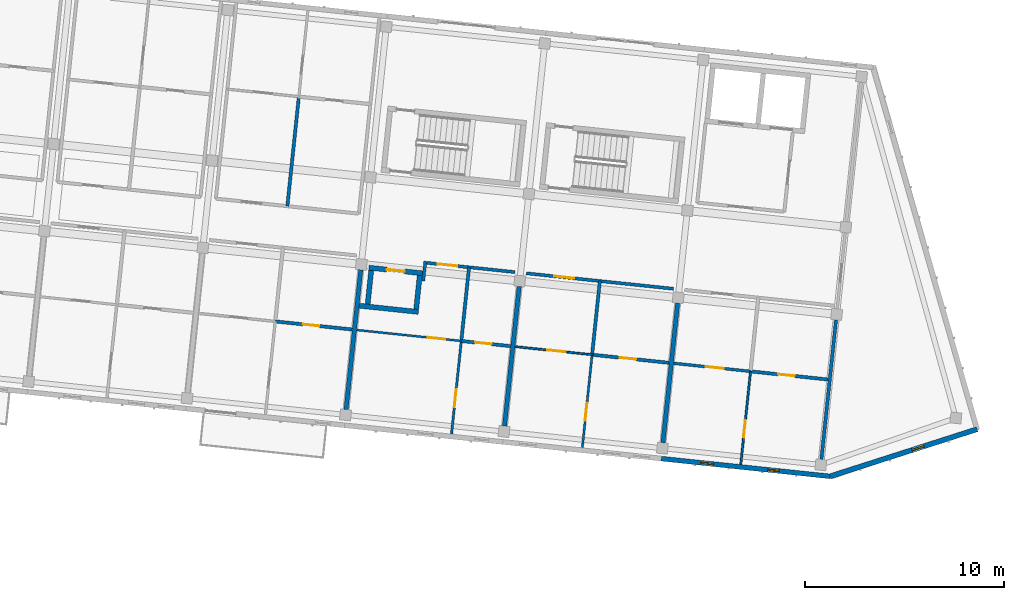
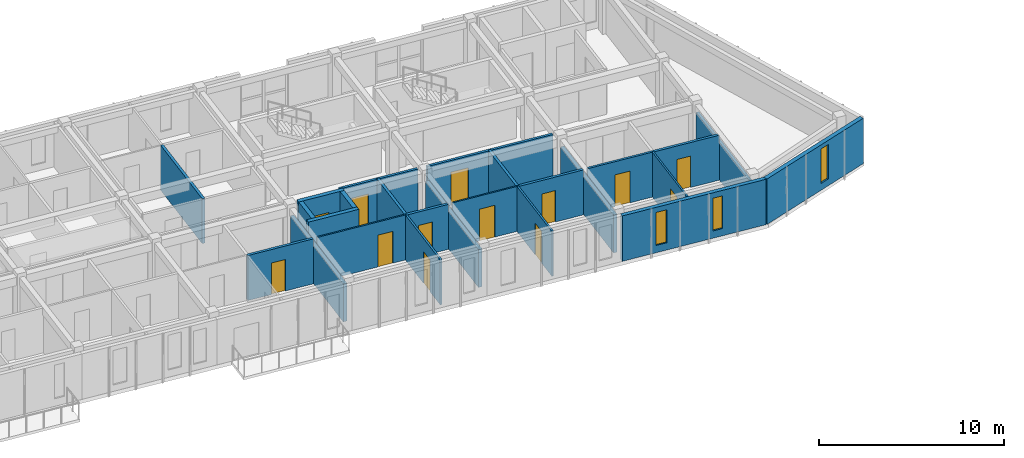
# One storey, part 91 of 127: 26 walls, 13 doors, 3 windows, 16 openings.
"""IFC4 building model written with IfcOpenShell, lengths in metres."""

from ifc_helpers import new_model, si_unit, direction, frame, frame_2d, origin, place, context, subcontext, project, spatial, rectangle, extrude, material, layer, layer_set, type_object, element, fill, save


model = new_model("IFC4")

# Units and contexts
model_context = context("Model", 3, precision=1e-05, world=origin(), true_north=direction((0.0, 1.0)))
body_context = subcontext(model_context, "Body", "Model", "MODEL_VIEW")
ifc_project = project(units=[si_unit("LENGTHUNIT", "METRE"), si_unit("AREAUNIT", "SQUARE_METRE"), si_unit("VOLUMEUNIT", "CUBIC_METRE"), si_unit("PLANEANGLEUNIT", "RADIAN"), si_unit("MASSUNIT", "GRAM", prefix="KILO")], contexts=[model_context])

# Site, building, storey
site_placement = place(None, origin())
site = spatial("IfcSite", under=ifc_project, at=site_placement, CompositionType="ELEMENT")
building_placement = place(site_placement, origin())
building = spatial("IfcBuilding", under=site, at=building_placement, Name="Kestramere Prow Commons", CompositionType="ELEMENT")
storey_placement = place(building_placement, frame((0.0, 0.0, 8.39990234375)))
storey = spatial("IfcBuildingStorey", under=building, at=storey_placement, Name="L02", CompositionType="ELEMENT", Elevation=8.39990234375)

# Wall, opening, window
ifc_material_1 = material(Name="Weathered Zinc-Titanium Standing-Seam Cladding")
ifc_layer_1 = layer(ifc_material_1, 0.260009765625)
ifc_layer_set_1 = layer_set([ifc_layer_1], Name="Weathered Zinc-Titanium Standing-Seam Cladding")
wall_type_1 = type_object("IfcWallType", Name="EW-PROW-260", PredefinedType="SOLIDWALL", material=ifc_layer_set_1)
wall_1_placement = place(storey_placement, frame((165.587158203125, 91.57177734375, 0.0), z_axis=(0.0, 0.0, 1.0), x_axis=(-0.9522851043, -0.305209895201, 0.0)))
wall_1 = element("IfcWall", 1, at=wall_1_placement, inside=storey, type_object=wall_type_1, Name="Block B L02 PRW-S Facet Wall", PredefinedType="SOLIDWALL", context=body_context, shape_type="SweptSolid", body=[
    extrude(rectangle(XDim=7.752685546875, YDim=0.260009765625, at=frame_2d((3.87646484375, 0.0))), origin(), (0.0, 0.0, 1.0), 3.0),
])
opening_1_placement = place(wall_1_placement, frame((2.81005859375, 0.0, 0.449951171875)))
opening_1 = element("IfcOpeningElement", 2, at=opening_1_placement, cuts=wall_1, Name="Opening WN-03", PredefinedType="OPENING", context=body_context, shape_type="SweptSolid", body=[
    extrude(rectangle(XDim=0.6201171875, YDim=2.280029296875, at=frame_2d((0.31005859375, 1.14013671875))), frame((0.0, 0.14501953125, 0.0), z_axis=(0.0, -1.0, 0.0), x_axis=(1.0, 0.0, 0.0)), (0.0, 0.0, 1.0), 0.2900390625),
])
ifc_material_2 = material(Name="Low-E Laminated Double Glazing", Category="glass")
window_type_1 = type_object("IfcWindowType", Name="WN-NAR-620A", PartitioningType="SINGLE_PANEL", PredefinedType="WINDOW", material=ifc_material_2)
window_1_placement = place(opening_1_placement, origin())
window_1 = element("IfcWindow", 3, at=window_1_placement, inside=storey, type_object=window_type_1, Name="WN-B-L02-PRW-S-0", OverallHeight=2.280029296875, OverallWidth=0.6201171875, PartitioningType="SINGLE_PANEL", PredefinedType="WINDOW", context=body_context, shape_type="SweptSolid", body=[
    extrude(rectangle(XDim=0.6201171875, YDim=2.280029296875, at=frame_2d((0.31005859375, 1.14013671875))), frame((0.0, 0.030029296875, 0.0), z_axis=(0.0, -1.0, 0.0), x_axis=(1.0, 0.0, 0.0)), (0.0, 0.0, 1.0), 0.06005859375),
])
fill(opening_1, window_1)

# Wall, openings, windows
ifc_material_3 = material(Name="Fluoropolymer Standing-Seam Zinc-Aluminium Cladding", Category="aluminium")
ifc_layer_2 = layer(ifc_material_3, 0.239990234375)
ifc_layer_set_2 = layer_set([ifc_layer_2], Name="Fluoropolymer Standing-Seam Zinc-Aluminium Cladding")
wall_type_2 = type_object("IfcWallType", Name="EW-SEAM-240", PredefinedType="SOLIDWALL", material=ifc_layer_set_2)
wall_2_placement = place(storey_placement, frame((158.204345703125, 89.20556640625, 0.0), z_axis=(0.0, 0.0, 1.0), x_axis=(-0.994521760736, 0.104529744196, 0.0)))
wall_2 = element("IfcWall", 4, at=wall_2_placement, inside=storey, type_object=wall_type_2, Name="Block B L02 South Standing-Seam Wall 6", PredefinedType="SOLIDWALL", context=body_context, shape_type="SweptSolid", body=[
    extrude(rectangle(XDim=8.52490234375, YDim=0.239990234375, at=frame_2d((4.262451171875, 0.0))), origin(), (0.0, 0.0, 1.0), 3.0),
])
opening_2_placement = place(wall_2_placement, frame((2.57568359375, 0.0, 0.47998046875)))
opening_2 = element("IfcOpeningElement", 5, at=opening_2_placement, cuts=wall_2, Name="Opening WN-01", PredefinedType="OPENING", context=body_context, shape_type="SweptSolid", body=[
    extrude(rectangle(XDim=0.580078125, YDim=2.159912109375, at=frame_2d((0.2900390625, 1.080078125))), frame((0.0, 0.135009765625, 0.0), z_axis=(0.0, -1.0, 0.0), x_axis=(1.0, 0.0, 0.0)), (0.0, 0.0, 1.0), 0.27001953125),
])
opening_3_placement = place(wall_2_placement, frame((5.883544921875, 0.0, 0.47998046875)))
opening_3 = element("IfcOpeningElement", 6, at=opening_3_placement, cuts=wall_2, Name="Opening WN-04", PredefinedType="OPENING", context=body_context, shape_type="SweptSolid", body=[
    extrude(rectangle(XDim=0.639892578125, YDim=2.179931640625, at=frame_2d((0.31982421875, 1.08984375))), frame((0.0, 0.135009765625, 0.0), z_axis=(0.0, -1.0, 0.0), x_axis=(1.0, 0.0, 0.0)), (0.0, 0.0, 1.0), 0.27001953125),
])
window_type_2 = type_object("IfcWindowType", Name="WN-NAR-580A", PartitioningType="SINGLE_PANEL", PredefinedType="WINDOW", material=ifc_material_2)
window_2_placement = place(opening_2_placement, origin())
window_2 = element("IfcWindow", 7, at=window_2_placement, inside=storey, type_object=window_type_2, Name="WN-B-L02-S-5-00", OverallHeight=2.159912109375, OverallWidth=0.580078125, PartitioningType="SINGLE_PANEL", PredefinedType="WINDOW", context=body_context, shape_type="SweptSolid", body=[
    extrude(rectangle(XDim=0.580078125, YDim=2.159912109375, at=frame_2d((0.2900390625, 1.080078125))), frame((0.0, 0.030029296875, 0.0), z_axis=(0.0, -1.0, 0.0), x_axis=(1.0, 0.0, 0.0)), (0.0, 0.0, 1.0), 0.06005859375),
])
fill(opening_2, window_2)
window_type_3 = type_object("IfcWindowType", Name="WN-NAR-640A", PartitioningType="SINGLE_PANEL", PredefinedType="WINDOW", material=ifc_material_2)
window_3_placement = place(opening_3_placement, origin())
window_3 = element("IfcWindow", 8, at=window_3_placement, inside=storey, type_object=window_type_3, Name="WN-B-L02-S-5-10", OverallHeight=2.179931640625, OverallWidth=0.639892578125, PartitioningType="SINGLE_PANEL", PredefinedType="WINDOW", context=body_context, shape_type="SweptSolid", body=[
    extrude(rectangle(XDim=0.639892578125, YDim=2.179931640625, at=frame_2d((0.31982421875, 1.08984375))), frame((0.0, 0.030029296875, 0.0), z_axis=(0.0, -1.0, 0.0), x_axis=(1.0, 0.0, 0.0)), (0.0, 0.0, 1.0), 0.06005859375),
])
fill(opening_3, window_3)

# Wall
ifc_material_4 = material(Name="Fire-Rated Calcium Silicate Wall")
ifc_layer_3 = layer(ifc_material_4, 0.155029296875)
ifc_layer_set_3 = layer_set([ifc_layer_3], Name="Fire-Rated Calcium Silicate Wall")
wall_type_3 = type_object("IfcWallType", Name="W-FIRE-150", PredefinedType="PARTITIONING", material=ifc_layer_set_3)
wall_3_placement = place(storey_placement, frame((137.773193359375, 99.02001953125, 0.0), z_axis=(0.0, 0.0, 1.0), x_axis=(0.104531505358, 0.994521575627, 0.0)))
element("IfcWall", 9, at=wall_3_placement, inside=storey, type_object=wall_type_3, Name="Interior Partition PW-B-L02-HS-CLOSER", PredefinedType="PARTITIONING", context=body_context, shape_type="SweptSolid", body=[
    extrude(rectangle(XDim=0.994873046875, YDim=0.155029296875, at=frame_2d((0.49755859375, 0.0))), origin(), (0.0, 0.0, 1.0), 2.97021484375),
])

# Wall, opening, door
wall_4_placement = place(storey_placement, frame((137.948974609375, 99.926513671875, 0.0), z_axis=(0.0, 0.0, 1.0), x_axis=(0.994524354209, -0.104505066315, 0.0)))
wall_4 = element("IfcWall", 10, at=wall_4_placement, inside=storey, type_object=wall_type_3, Name="Interior Partition PW-B-L02-CS-3", PredefinedType="PARTITIONING", context=body_context, shape_type="SweptSolid", body=[
    extrude(rectangle(XDim=4.455078125, YDim=0.155029296875, at=frame_2d((2.2275390625, 0.0))), origin(), (0.0, 0.0, 1.0), 2.97021484375),
])
opening_4_placement = place(wall_4_placement, frame((0.556884765625, 0.0, 0.0)))
opening_4 = element("IfcOpeningElement", 11, at=opening_4_placement, cuts=wall_4, Name="Opening ID-04", PredefinedType="OPENING", context=body_context, shape_type="SweptSolid", body=[
    extrude(rectangle(XDim=0.97998046875, YDim=2.14990234375, at=frame_2d((0.489990234375, 1.074951171875))), frame((0.0, 0.092529296875, 0.0), z_axis=(0.0, -1.0, 0.0), x_axis=(1.0, 0.0, 0.0)), (0.0, 0.0, 1.0), 0.18505859375),
])
ifc_material_5 = material(Name="Hardwood Fire-Rated Flat Entrance Door", Category="wood")
door_type_1 = type_object("IfcDoorType", Name="FD-ENT-01", OperationType="NOTDEFINED", PredefinedType="DOOR", material=ifc_material_5)
door_1_placement = place(opening_4_placement, origin())
door_1 = element("IfcDoor", 12, at=door_1_placement, inside=storey, type_object=door_type_1, Name="Interior Door DR-B-L02-ENT-S3", OperationType="SINGLE_SWING_RIGHT", OverallHeight=2.14990234375, OverallWidth=0.97998046875, PredefinedType="DOOR", context=body_context, shape_type="SweptSolid", body=[
    extrude(rectangle(XDim=0.97998046875, YDim=2.14990234375, at=frame_2d((0.489990234375, 1.074951171875))), frame((0.0, 0.02490234375, 0.0), z_axis=(0.0, -1.0, 0.0), x_axis=(1.0, 0.0, 0.0)), (0.0, 0.0, 1.0), 0.050048828125),
])
fill(opening_4, door_1)

wall_5_placement = place(storey_placement, frame((142.946533203125, 99.4013671875, 0.0), z_axis=(0.0, 0.0, 1.0), x_axis=(0.994522184982, -0.104525707739, 0.0)))
wall_5 = element("IfcWall", 13, at=wall_5_placement, inside=storey, type_object=wall_type_3, Name="Interior Partition PW-B-L02-CS-4", PredefinedType="PARTITIONING", context=body_context, shape_type="SweptSolid", body=[
    extrude(rectangle(XDim=7.429931640625, YDim=0.155029296875, at=frame_2d((3.71484375, 0.0))), origin(), (0.0, 0.0, 1.0), 2.97021484375),
])
opening_5_placement = place(wall_5_placement, frame((1.405029296875, 0.0, 0.0)))
opening_5 = element("IfcOpeningElement", 14, at=opening_5_placement, cuts=wall_5, Name="Opening ID-05", PredefinedType="OPENING", context=body_context, shape_type="SweptSolid", body=[
    extrude(rectangle(XDim=1.02001953125, YDim=2.199951171875, at=frame_2d((0.510009765625, 1.10009765625))), frame((0.0, 0.092529296875, 0.0), z_axis=(0.0, -1.0, 0.0), x_axis=(1.0, 0.0, 0.0)), (0.0, 0.0, 1.0), 0.18505859375),
])
door_type_2 = type_object("IfcDoorType", Name="FD-ENT-02", OperationType="NOTDEFINED", PredefinedType="DOOR", material=ifc_material_5)
door_2_placement = place(opening_5_placement, origin())
door_2 = element("IfcDoor", 15, at=door_2_placement, inside=storey, type_object=door_type_2, Name="Interior Door DR-B-L02-ENT-S4", OperationType="SINGLE_SWING_LEFT", OverallHeight=2.199951171875, OverallWidth=1.02001953125, PredefinedType="DOOR", context=body_context, shape_type="SweptSolid", body=[
    extrude(rectangle(XDim=1.02001953125, YDim=2.199951171875, at=frame_2d((0.510009765625, 1.10009765625))), frame((0.0, 0.02490234375, 0.0), z_axis=(0.0, -1.0, 0.0), x_axis=(1.0, 0.0, 0.0)), (0.0, 0.0, 1.0), 0.050048828125),
])
fill(opening_5, door_2)

# Wall
ifc_material_6 = material(Name="Concrete C40/50", Category="concrete")
ifc_layer_4 = layer(ifc_material_6, 0.25)
ifc_layer_set_4 = layer_set([ifc_layer_4], Name="Concrete C40/50")
wall_type_4 = type_object("IfcWallType", Name="W-HS-250", PredefinedType="SHEAR", material=ifc_layer_set_4)
wall_6_placement = place(storey_placement, frame((134.555419921875, 97.774658203125, 0.0), z_axis=(0.0, 0.0, 1.0), x_axis=(0.994514844427, -0.104595526741, 0.0)))
element("IfcWall", 16, at=wall_6_placement, inside=storey, type_object=wall_type_4, Name="Block B L02 Household Shelter South Wall", PredefinedType="SHEAR", context=body_context, shape_type="SweptSolid", body=[
    extrude(rectangle(XDim=2.989990234375, YDim=0.25, at=frame_2d((1.4951171875, 0.0))), origin(), (0.0, 0.0, 1.0), 3.25),
])

# Wall, opening, door
wall_7_placement = place(storey_placement, frame((135.047607421875, 99.68359375, 0.0), z_axis=(0.0, 0.0, 1.0), x_axis=(0.994522285292, -0.104524753323, 0.0)))
wall_7 = element("IfcWall", 17, at=wall_7_placement, inside=storey, type_object=wall_type_4, Name="Block B L02 Household Shelter North Wall", PredefinedType="SHEAR", context=body_context, shape_type="SweptSolid", body=[
    extrude(rectangle(XDim=2.7001953125, YDim=0.25, at=frame_2d((1.35009765625, 0.0))), origin(), (0.0, 0.0, 1.0), 3.25),
])
opening_6_placement = place(wall_7_placement, frame((0.89990234375, 0.0, 0.0)))
opening_6 = element("IfcOpeningElement", 18, at=opening_6_placement, cuts=wall_7, Name="Opening ID-06", PredefinedType="OPENING", context=body_context, shape_type="SweptSolid", body=[
    extrude(rectangle(XDim=0.89990234375, YDim=2.050048828125, at=frame_2d((0.449951171875, 1.02490234375))), frame((0.0, 0.139892578125, 0.0), z_axis=(0.0, -1.0, 0.0), x_axis=(1.0, 0.0, 0.0)), (0.0, 0.0, 1.0), 0.280029296875),
])
ifc_material_7 = material(Name="Galvanised Steel S275JR Household Shelter Door", Category="steel")
door_type_3 = type_object("IfcDoorType", Name="FD-HS-01", OperationType="NOTDEFINED", PredefinedType="DOOR", material=ifc_material_7)
door_3_placement = place(opening_6_placement, origin())
door_3 = element("IfcDoor", 19, at=door_3_placement, inside=storey, type_object=door_type_3, Name="Block B L02 Household Shelter Blast Door", OperationType="SINGLE_SWING_RIGHT", OverallHeight=2.050048828125, OverallWidth=0.89990234375, PredefinedType="DOOR", context=body_context, shape_type="SweptSolid", body=[
    extrude(rectangle(XDim=0.89990234375, YDim=2.050048828125, at=frame_2d((0.449951171875, 1.02490234375))), frame((0.0, 0.02490234375, 0.0), z_axis=(0.0, -1.0, 0.0), x_axis=(1.0, 0.0, 0.0)), (0.0, 0.0, 1.0), 0.050048828125),
])
fill(opening_6, door_3)

# Walls
for number, where, z_axis, x_axis, name in (
    (20, (134.981201171875, 97.85546875, 0.0), (0.0, 0.0, 1.0), (0.104550220202, 0.994519608382, 0.0), "Block B L02 Household Shelter W Wall"),
    (21, (137.417724609375, 97.599365234375, 0.0), (0.0, 0.0, 1.0), (0.104550220202, 0.994519608382, 0.0), "Block B L02 Household Shelter E Wall"),
):
    element("IfcWall", number, at=place(storey_placement, frame(where, z_axis=z_axis, x_axis=x_axis)), inside=storey, type_object=wall_type_4, Name=name, PredefinedType="SHEAR", context=body_context, shape_type="SweptSolid", body=[
        extrude(rectangle(XDim=1.699951171875, YDim=0.25, at=frame_2d((0.85009765625, 0.0))), origin(), (0.0, 0.0, 1.0), 3.25),
    ])

# Wall, opening, door
ifc_material_8 = material(Name="Gypsum Acoustic Drywall")
ifc_layer_5 = layer(ifc_material_8, 0.10009765625)
ifc_layer_set_5 = layer_set([ifc_layer_5], Name="Gypsum Acoustic Drywall")
wall_type_5 = type_object("IfcWallType", Name="W-PART-100", PredefinedType="PARTITIONING", material=ifc_layer_set_5)
wall_8_placement = place(storey_placement, frame((134.432373046875, 96.5556640625, 0.0), z_axis=(0.0, 0.0, 1.0), x_axis=(0.994524692105, -0.104501850668, 0.0)))
wall_8 = element("IfcWall", 22, at=wall_8_placement, inside=storey, type_object=wall_type_5, Name="Interior Partition PW-B-L02-MIDS1-3", PredefinedType="PARTITIONING", context=body_context, shape_type="SweptSolid", body=[
    extrude(rectangle(XDim=5.27978515625, YDim=0.10009765625, at=frame_2d((2.639892578125, 0.0))), origin(), (0.0, 0.0, 1.0), 2.97021484375),
])
opening_7_placement = place(wall_8_placement, frame((3.594970703125, 0.0, 0.0)))
opening_7 = element("IfcOpeningElement", 23, at=opening_7_placement, cuts=wall_8, Name="Opening ID-10", PredefinedType="OPENING", context=body_context, shape_type="SweptSolid", body=[
    extrude(rectangle(XDim=0.8798828125, YDim=2.10009765625, at=frame_2d((0.43994140625, 1.050048828125))), frame((0.0, 0.06494140625, 0.0), z_axis=(0.0, -1.0, 0.0), x_axis=(1.0, 0.0, 0.0)), (0.0, 0.0, 1.0), 0.130126953125),
])
ifc_material_9 = material(Name="Engineered Timber Bedroom Door", Category="wood")
door_type_4 = type_object("IfcDoorType", Name="D-RM-03", OperationType="NOTDEFINED", PredefinedType="DOOR", material=ifc_material_9)
door_4_placement = place(opening_7_placement, origin())
door_4 = element("IfcDoor", 24, at=door_4_placement, inside=storey, type_object=door_type_4, Name="Interior Door DR-B-L02-KL-S3", OperationType="SINGLE_SWING_RIGHT", OverallHeight=2.10009765625, OverallWidth=0.8798828125, PredefinedType="DOOR", context=body_context, shape_type="SweptSolid", body=[
    extrude(rectangle(XDim=0.8798828125, YDim=2.10009765625, at=frame_2d((0.43994140625, 1.050048828125))), frame((0.0, 0.02490234375, 0.0), z_axis=(0.0, -1.0, 0.0), x_axis=(1.0, 0.0, 0.0)), (0.0, 0.0, 1.0), 0.050048828125),
])
fill(opening_7, door_4)

wall_9_placement = place(storey_placement, frame((153.71826171875, 89.81298828125, 0.0), z_axis=(0.0, 0.0, 1.0), x_axis=(0.104527618124, 0.994521984196, 0.0)))
wall_9 = element("IfcWall", 25, at=wall_9_placement, inside=storey, type_object=wall_type_5, Name="Interior Partition PW-B-L02-LB-S5", PredefinedType="PARTITIONING", context=body_context, shape_type="SweptSolid", body=[
    extrude(rectangle(XDim=4.68994140625, YDim=0.10009765625, at=frame_2d((2.344970703125, 0.0))), origin(), (0.0, 0.0, 1.0), 2.97021484375),
])
opening_8_placement = place(wall_9_placement, frame((1.35009765625, 0.0, 0.0)))
opening_8 = element("IfcOpeningElement", 26, at=opening_8_placement, cuts=wall_9, Name="Opening ID-10", PredefinedType="OPENING", context=body_context, shape_type="SweptSolid", body=[
    extrude(rectangle(XDim=0.8798828125, YDim=2.10009765625, at=frame_2d((0.43994140625, 1.050048828125))), frame((0.0, 0.06494140625, 0.0), z_axis=(0.0, -1.0, 0.0), x_axis=(1.0, 0.0, 0.0)), (0.0, 0.0, 1.0), 0.130126953125),
])
door_5_placement = place(opening_8_placement, origin())
door_5 = element("IfcDoor", 27, at=door_5_placement, inside=storey, type_object=door_type_4, Name="Interior Door DR-B-L02-BED-S5", OperationType="SINGLE_SWING_RIGHT", OverallHeight=2.10009765625, OverallWidth=0.8798828125, PredefinedType="DOOR", context=body_context, shape_type="SweptSolid", body=[
    extrude(rectangle(XDim=0.8798828125, YDim=2.10009765625, at=frame_2d((0.43994140625, 1.050048828125))), frame((0.0, 0.02490234375, 0.0), z_axis=(0.0, -1.0, 0.0), x_axis=(1.0, 0.0, 0.0)), (0.0, 0.0, 1.0), 0.050048828125),
])
fill(opening_8, door_5)

ifc_layer_6 = layer(ifc_material_8, 0.110107421875)
ifc_layer_set_6 = layer_set([ifc_layer_6], Name="Gypsum Acoustic Drywall")
wall_type_6 = type_object("IfcWallType", Name="W-PART-110", PredefinedType="PARTITIONING", material=ifc_layer_set_6)
wall_10_placement = place(storey_placement, frame((145.761962890625, 90.649169921875, 0.0), z_axis=(0.0, 0.0, 1.0), x_axis=(0.104527618124, 0.994521984196, 0.0)))
wall_10 = element("IfcWall", 28, at=wall_10_placement, inside=storey, type_object=wall_type_6, Name="Interior Partition PW-B-L02-LB-S4", PredefinedType="PARTITIONING", context=body_context, shape_type="SweptSolid", body=[
    extrude(rectangle(XDim=4.68994140625, YDim=0.110107421875, at=frame_2d((2.344970703125, 0.0))), origin(), (0.0, 0.0, 1.0), 2.97021484375),
])
opening_9_placement = place(wall_10_placement, frame((1.35009765625, 0.0, 0.0)))
opening_9 = element("IfcOpeningElement", 29, at=opening_9_placement, cuts=wall_10, Name="Opening ID-08", PredefinedType="OPENING", context=body_context, shape_type="SweptSolid", body=[
    extrude(rectangle(XDim=0.89990234375, YDim=2.10009765625, at=frame_2d((0.449951171875, 1.050048828125))), frame((0.0, 0.070068359375, 0.0), z_axis=(0.0, -1.0, 0.0), x_axis=(1.0, 0.0, 0.0)), (0.0, 0.0, 1.0), 0.14013671875),
])
ifc_material_10 = material(Name="Engineered Timber Flush Door", Category="wood")
door_type_5 = type_object("IfcDoorType", Name="D-RM-01", OperationType="NOTDEFINED", PredefinedType="DOOR", material=ifc_material_10)
door_6_placement = place(opening_9_placement, origin())
door_6 = element("IfcDoor", 30, at=door_6_placement, inside=storey, type_object=door_type_5, Name="Interior Door DR-B-L02-BED-S4", OperationType="SINGLE_SWING_LEFT", OverallHeight=2.10009765625, OverallWidth=0.89990234375, PredefinedType="DOOR", context=body_context, shape_type="SweptSolid", body=[
    extrude(rectangle(XDim=0.89990234375, YDim=2.10009765625, at=frame_2d((0.449951171875, 1.050048828125))), frame((0.0, 0.02490234375, 0.0), z_axis=(0.0, -1.0, 0.0), x_axis=(1.0, 0.0, 0.0)), (0.0, 0.0, 1.0), 0.050048828125),
])
fill(opening_9, door_6)

ifc_material_11 = material(Name="Lightweight Blockwork and Plaster", Category="masonry")
ifc_layer_7 = layer(ifc_material_11, 0.1201171875)
ifc_layer_set_7 = layer_set([ifc_layer_7], Name="Lightweight Blockwork and Plaster")
wall_type_7 = type_object("IfcWallType", Name="W-PART-120", PredefinedType="PARTITIONING", material=ifc_layer_set_7)
wall_11_placement = place(storey_placement, frame((139.193115234375, 91.339599609375, 0.0), z_axis=(0.0, 0.0, 1.0), x_axis=(0.104527618124, 0.994521984196, 0.0)))
wall_11 = element("IfcWall", 31, at=wall_11_placement, inside=storey, type_object=wall_type_7, Name="Interior Partition PW-B-L02-LB-S3", PredefinedType="PARTITIONING", context=body_context, shape_type="SweptSolid", body=[
    extrude(rectangle(XDim=4.68994140625, YDim=0.1201171875, at=frame_2d((2.344970703125, 0.0))), origin(), (0.0, 0.0, 1.0), 2.97021484375),
])
opening_10_placement = place(wall_11_placement, frame((1.35009765625, 0.0, 0.0)))
opening_10 = element("IfcOpeningElement", 32, at=opening_10_placement, cuts=wall_11, Name="Opening ID-08", PredefinedType="OPENING", context=body_context, shape_type="SweptSolid", body=[
    extrude(rectangle(XDim=0.89990234375, YDim=2.10009765625, at=frame_2d((0.449951171875, 1.050048828125))), frame((0.0, 0.074951171875, 0.0), z_axis=(0.0, -1.0, 0.0), x_axis=(1.0, 0.0, 0.0)), (0.0, 0.0, 1.0), 0.150146484375),
])
door_7_placement = place(opening_10_placement, origin())
door_7 = element("IfcDoor", 33, at=door_7_placement, inside=storey, type_object=door_type_5, Name="Interior Door DR-B-L02-BED-S3", OperationType="SINGLE_SWING_RIGHT", OverallHeight=2.10009765625, OverallWidth=0.89990234375, PredefinedType="DOOR", context=body_context, shape_type="SweptSolid", body=[
    extrude(rectangle(XDim=0.89990234375, YDim=2.10009765625, at=frame_2d((0.449951171875, 1.050048828125))), frame((0.0, 0.02490234375, 0.0), z_axis=(0.0, -1.0, 0.0), x_axis=(1.0, 0.0, 0.0)), (0.0, 0.0, 1.0), 0.050048828125),
])
fill(opening_10, door_7)

ifc_material_12 = material(Name="Masonry Compartment Wall", Category="masonry")
ifc_layer_8 = layer(ifc_material_12, 0.139892578125)
ifc_layer_set_8 = layer_set([ifc_layer_8], Name="Masonry Compartment Wall")
wall_type_8 = type_object("IfcWallType", Name="W-PART-140", PredefinedType="PARTITIONING", material=ifc_layer_set_8)
wall_12_placement = place(storey_placement, frame((150.3447265625, 94.88330078125, 0.0), z_axis=(0.0, 0.0, 1.0), x_axis=(0.994524375082, -0.104504867671, 0.0)))
wall_12 = element("IfcWall", 34, at=wall_12_placement, inside=storey, type_object=wall_type_8, Name="Interior Partition PW-B-L02-MIDS1-5", PredefinedType="PARTITIONING", context=body_context, shape_type="SweptSolid", body=[
    extrude(rectangle(XDim=3.885009765625, YDim=0.139892578125, at=frame_2d((1.9423828125, 0.0))), origin(), (0.0, 0.0, 1.0), 2.97021484375),
])
opening_11_placement = place(wall_12_placement, frame((1.625, 0.0, 0.0)))
opening_11 = element("IfcOpeningElement", 35, at=opening_11_placement, cuts=wall_12, Name="Opening ID-08", PredefinedType="OPENING", context=body_context, shape_type="SweptSolid", body=[
    extrude(rectangle(XDim=0.89990234375, YDim=2.10009765625, at=frame_2d((0.449951171875, 1.050048828125))), frame((0.0, 0.0849609375, 0.0), z_axis=(0.0, -1.0, 0.0), x_axis=(1.0, 0.0, 0.0)), (0.0, 0.0, 1.0), 0.169921875),
])
door_8_placement = place(opening_11_placement, origin())
door_8 = element("IfcDoor", 36, at=door_8_placement, inside=storey, type_object=door_type_5, Name="Interior Door DR-B-L02-KL-S5", OperationType="SINGLE_SWING_RIGHT", OverallHeight=2.10009765625, OverallWidth=0.89990234375, PredefinedType="DOOR", context=body_context, shape_type="SweptSolid", body=[
    extrude(rectangle(XDim=0.89990234375, YDim=2.10009765625, at=frame_2d((0.449951171875, 1.050048828125))), frame((0.0, 0.02490234375, 0.0), z_axis=(0.0, -1.0, 0.0), x_axis=(1.0, 0.0, 0.0)), (0.0, 0.0, 1.0), 0.050048828125),
])
fill(opening_11, door_8)

ifc_layer_9 = layer(ifc_material_8, 0.094970703125)
ifc_layer_set_9 = layer_set([ifc_layer_9], Name="Gypsum Acoustic Drywall")
wall_type_9 = type_object("IfcWallType", Name="W-PART-95", PredefinedType="PARTITIONING", material=ifc_layer_set_9)
wall_13_placement = place(storey_placement, frame((142.388427734375, 95.719482421875, 0.0), z_axis=(0.0, 0.0, 1.0), x_axis=(0.994524375082, -0.104504867671, 0.0)))
wall_13 = element("IfcWall", 37, at=wall_13_placement, inside=storey, type_object=wall_type_9, Name="Interior Partition PW-B-L02-MIDS1-4", PredefinedType="PARTITIONING", context=body_context, shape_type="SweptSolid", body=[
    extrude(rectangle(XDim=3.885009765625, YDim=0.094970703125, at=frame_2d((1.9423828125, 0.0))), origin(), (0.0, 0.0, 1.0), 2.97021484375),
])
opening_12_placement = place(wall_13_placement, frame((1.625, 0.0, 0.0)))
opening_12 = element("IfcOpeningElement", 38, at=opening_12_placement, cuts=wall_13, Name="Opening ID-08", PredefinedType="OPENING", context=body_context, shape_type="SweptSolid", body=[
    extrude(rectangle(XDim=0.89990234375, YDim=2.10009765625, at=frame_2d((0.449951171875, 1.050048828125))), frame((0.0, 0.0625, 0.0), z_axis=(0.0, -1.0, 0.0), x_axis=(1.0, 0.0, 0.0)), (0.0, 0.0, 1.0), 0.125),
])
door_9_placement = place(opening_12_placement, origin())
door_9 = element("IfcDoor", 39, at=door_9_placement, inside=storey, type_object=door_type_5, Name="Interior Door DR-B-L02-KL-S4", OperationType="SINGLE_SWING_RIGHT", OverallHeight=2.10009765625, OverallWidth=0.89990234375, PredefinedType="DOOR", context=body_context, shape_type="SweptSolid", body=[
    extrude(rectangle(XDim=0.89990234375, YDim=2.10009765625, at=frame_2d((0.449951171875, 1.050048828125))), frame((0.0, 0.02490234375, 0.0), z_axis=(0.0, -1.0, 0.0), x_axis=(1.0, 0.0, 0.0)), (0.0, 0.0, 1.0), 0.050048828125),
])
fill(opening_12, door_9)

# Wall
ifc_material_13 = material(Name="Waterproof Sanitary Masonry Wall", Category="masonry")
ifc_layer_10 = layer(ifc_material_13, 0.1650390625)
ifc_layer_set_10 = layer_set([ifc_layer_10], Name="Waterproof Sanitary Masonry Wall")
wall_type_10 = type_object("IfcWallType", Name="W-PLUMB-150", PredefinedType="PLUMBINGWALL", material=ifc_layer_set_10)
wall_14_placement = place(storey_placement, frame((157.766845703125, 90.066162109375, 0.0), z_axis=(0.0, 0.0, 1.0), x_axis=(0.104532929154, 0.994521425975, 0.0)))
element("IfcWall", 40, at=wall_14_placement, inside=storey, type_object=wall_type_10, Name="Interior Partition PW-B-L02-PRWE-S", PredefinedType="PLUMBINGWALL", context=body_context, shape_type="SweptSolid", body=[
    extrude(rectangle(XDim=7.030029296875, YDim=0.1650390625, at=frame_2d((3.51513671875, 0.0))), origin(), (0.0, 0.0, 1.0), 2.5),
])

# Wall, opening, door
wall_15_placement = place(storey_placement, frame((130.33984375, 96.98583984375, 0.0), z_axis=(0.0, 0.0, 1.0), x_axis=(0.994524375082, -0.104504867671, 0.0)))
wall_15 = element("IfcWall", 41, at=wall_15_placement, inside=storey, type_object=wall_type_10, Name="Interior Partition PW-B-L02-MIDS2-2", PredefinedType="PLUMBINGWALL", context=body_context, shape_type="SweptSolid", body=[
    extrude(rectangle(XDim=3.885009765625, YDim=0.1650390625, at=frame_2d((1.9423828125, 0.0))), origin(), (0.0, 0.0, 1.0), 2.97021484375),
])
opening_13_placement = place(wall_15_placement, frame((1.39990234375, 0.0, 0.0)))
opening_13 = element("IfcOpeningElement", 42, at=opening_13_placement, cuts=wall_15, Name="Opening ID-11", PredefinedType="OPENING", context=body_context, shape_type="SweptSolid", body=[
    extrude(rectangle(XDim=0.820068359375, YDim=2.080078125, at=frame_2d((0.41015625, 1.0400390625))), frame((0.0, 0.097412109375, 0.0), z_axis=(0.0, -1.0, 0.0), x_axis=(1.0, 0.0, 0.0)), (0.0, 0.0, 1.0), 0.195068359375),
])
ifc_material_14 = material(Name="Moisture-Resistant Timber Bathroom Door", Category="wood")
door_type_6 = type_object("IfcDoorType", Name="D-BT-01", OperationType="NOTDEFINED", PredefinedType="DOOR", material=ifc_material_14)
door_10_placement = place(opening_13_placement, origin())
door_10 = element("IfcDoor", 43, at=door_10_placement, inside=storey, type_object=door_type_6, Name="Interior Door DR-B-L02-BTH-S2", OperationType="SINGLE_SWING_LEFT", OverallHeight=2.080078125, OverallWidth=0.820068359375, PredefinedType="DOOR", context=body_context, shape_type="SweptSolid", body=[
    extrude(rectangle(XDim=0.820068359375, YDim=2.080078125, at=frame_2d((0.41015625, 1.0400390625))), frame((0.0, 0.02490234375, 0.0), z_axis=(0.0, -1.0, 0.0), x_axis=(1.0, 0.0, 0.0)), (0.0, 0.0, 1.0), 0.050048828125),
])
fill(opening_13, door_10)

wall_16_placement = place(storey_placement, frame((139.683349609375, 96.00390625, 0.0), z_axis=(0.0, 0.0, 1.0), x_axis=(0.994523702879, -0.104511264518, 0.0)))
wall_16 = element("IfcWall", 44, at=wall_16_placement, inside=storey, type_object=wall_type_10, Name="Interior Partition PW-B-L02-MIDS2-3", PredefinedType="PLUMBINGWALL", context=body_context, shape_type="SweptSolid", body=[
    extrude(rectangle(XDim=2.490234375, YDim=0.1650390625, at=frame_2d((1.2451171875, 0.0))), origin(), (0.0, 0.0, 1.0), 2.97021484375),
])
opening_14_placement = place(wall_16_placement, frame((0.702880859375, 0.0, 0.0)))
opening_14 = element("IfcOpeningElement", 45, at=opening_14_placement, cuts=wall_16, Name="Opening ID-11", PredefinedType="OPENING", context=body_context, shape_type="SweptSolid", body=[
    extrude(rectangle(XDim=0.820068359375, YDim=2.080078125, at=frame_2d((0.41015625, 1.0400390625))), frame((0.0, 0.097412109375, 0.0), z_axis=(0.0, -1.0, 0.0), x_axis=(1.0, 0.0, 0.0)), (0.0, 0.0, 1.0), 0.195068359375),
])
door_11_placement = place(opening_14_placement, origin())
door_11 = element("IfcDoor", 46, at=door_11_placement, inside=storey, type_object=door_type_6, Name="Interior Door DR-B-L02-BTH-S3", OperationType="SINGLE_SWING_LEFT", OverallHeight=2.080078125, OverallWidth=0.820068359375, PredefinedType="DOOR", context=body_context, shape_type="SweptSolid", body=[
    extrude(rectangle(XDim=0.820068359375, YDim=2.080078125, at=frame_2d((0.41015625, 1.0400390625))), frame((0.0, 0.02490234375, 0.0), z_axis=(0.0, -1.0, 0.0), x_axis=(1.0, 0.0, 0.0)), (0.0, 0.0, 1.0), 0.050048828125),
])
fill(opening_14, door_11)

# Wall
wall_17_placement = place(storey_placement, frame((139.683349609375, 96.00390625, 0.0), z_axis=(0.0, 0.0, 1.0), x_axis=(0.104551541926, 0.994519469433, 0.0)))
element("IfcWall", 47, at=wall_17_placement, inside=storey, type_object=wall_type_10, Name="Interior Partition PW-B-L02-KB-S3", PredefinedType="PLUMBINGWALL", context=body_context, shape_type="SweptSolid", body=[
    extrude(rectangle(XDim=3.719970703125, YDim=0.1650390625, at=frame_2d((1.85986328125, 0.0))), origin(), (0.0, 0.0, 1.0), 2.97021484375),
])

# Wall, opening, door
wall_18_placement = place(storey_placement, frame((146.252197265625, 95.3134765625, 0.0), z_axis=(0.0, 0.0, 1.0), x_axis=(0.994517841934, -0.104567021925, 0.0)))
wall_18 = element("IfcWall", 48, at=wall_18_placement, inside=storey, type_object=wall_type_10, Name="Interior Partition PW-B-L02-MIDS2-4", PredefinedType="PLUMBINGWALL", context=body_context, shape_type="SweptSolid", body=[
    extrude(rectangle(XDim=3.885009765625, YDim=0.1650390625, at=frame_2d((1.9423828125, 0.0))), origin(), (0.0, 0.0, 1.0), 2.97021484375),
])
opening_15_placement = place(wall_18_placement, frame((1.39990234375, 0.0, 0.0)))
opening_15 = element("IfcOpeningElement", 49, at=opening_15_placement, cuts=wall_18, Name="Opening ID-11", PredefinedType="OPENING", context=body_context, shape_type="SweptSolid", body=[
    extrude(rectangle(XDim=0.820068359375, YDim=2.080078125, at=frame_2d((0.41015625, 1.0400390625))), frame((0.0, 0.097412109375, 0.0), z_axis=(0.0, -1.0, 0.0), x_axis=(1.0, 0.0, 0.0)), (0.0, 0.0, 1.0), 0.195068359375),
])
door_12_placement = place(opening_15_placement, origin())
door_12 = element("IfcDoor", 50, at=door_12_placement, inside=storey, type_object=door_type_6, Name="Interior Door DR-B-L02-BTH-S4", OperationType="SINGLE_SWING_LEFT", OverallHeight=2.080078125, OverallWidth=0.820068359375, PredefinedType="DOOR", context=body_context, shape_type="SweptSolid", body=[
    extrude(rectangle(XDim=0.820068359375, YDim=2.080078125, at=frame_2d((0.41015625, 1.0400390625))), frame((0.0, 0.02490234375, 0.0), z_axis=(0.0, -1.0, 0.0), x_axis=(1.0, 0.0, 0.0)), (0.0, 0.0, 1.0), 0.050048828125),
])
fill(opening_15, door_12)

# Wall
wall_19_placement = place(storey_placement, frame((146.252197265625, 95.3134765625, 0.0), z_axis=(0.0, 0.0, 1.0), x_axis=(0.104551541926, 0.994519469433, 0.0)))
element("IfcWall", 51, at=wall_19_placement, inside=storey, type_object=wall_type_10, Name="Interior Partition PW-B-L02-KB-S4", PredefinedType="PLUMBINGWALL", context=body_context, shape_type="SweptSolid", body=[
    extrude(rectangle(XDim=3.719970703125, YDim=0.1650390625, at=frame_2d((1.85986328125, 0.0))), origin(), (0.0, 0.0, 1.0), 2.97021484375),
])

# Wall, opening, door
wall_20_placement = place(storey_placement, frame((154.20849609375, 94.477294921875, 0.0), z_axis=(0.0, 0.0, 1.0), x_axis=(0.994521863919, -0.104528762491, 0.0)))
wall_20 = element("IfcWall", 52, at=wall_20_placement, inside=storey, type_object=wall_type_10, Name="Interior Partition PW-B-L02-MIDS2-5", PredefinedType="PLUMBINGWALL", context=body_context, shape_type="SweptSolid", body=[
    extrude(rectangle(XDim=3.909912109375, YDim=0.1650390625, at=frame_2d((1.955078125, 0.0))), origin(), (0.0, 0.0, 1.0), 2.97021484375),
])
opening_16_placement = place(wall_20_placement, frame((1.39990234375, 0.0, 0.0)))
opening_16 = element("IfcOpeningElement", 53, at=opening_16_placement, cuts=wall_20, Name="Opening ID-11", PredefinedType="OPENING", context=body_context, shape_type="SweptSolid", body=[
    extrude(rectangle(XDim=0.820068359375, YDim=2.080078125, at=frame_2d((0.41015625, 1.0400390625))), frame((0.0, 0.097412109375, 0.0), z_axis=(0.0, -1.0, 0.0), x_axis=(1.0, 0.0, 0.0)), (0.0, 0.0, 1.0), 0.195068359375),
])
door_13_placement = place(opening_16_placement, origin())
door_13 = element("IfcDoor", 54, at=door_13_placement, inside=storey, type_object=door_type_6, Name="Interior Door DR-B-L02-BTH-S5", OperationType="SINGLE_SWING_LEFT", OverallHeight=2.080078125, OverallWidth=0.820068359375, PredefinedType="DOOR", context=body_context, shape_type="SweptSolid", body=[
    extrude(rectangle(XDim=0.820068359375, YDim=2.080078125, at=frame_2d((0.41015625, 1.0400390625))), frame((0.0, 0.02490234375, 0.0), z_axis=(0.0, -1.0, 0.0), x_axis=(1.0, 0.0, 0.0)), (0.0, 0.0, 1.0), 0.050048828125),
])
fill(opening_16, door_13)

# Walls
wall_21_placement = place(storey_placement, frame((130.9482421875, 102.77392578125, 0.0), z_axis=(0.0, 0.0, 1.0), x_axis=(0.104542300532, 0.994520440916, 0.0)))
element("IfcWall", 55, at=wall_21_placement, inside=storey, type_object=wall_type_10, Name="Interior Partition PW-B-L02-KB-N2", PredefinedType="PLUMBINGWALL", context=body_context, shape_type="SweptSolid", body=[
    extrude(rectangle(XDim=5.530029296875, YDim=0.1650390625, at=frame_2d((2.76513671875, 0.0))), origin(), (0.0, 0.0, 1.0), 2.97021484375),
])
ifc_material_15 = material(Name="Precast concrete C40/50", Category="concrete")
ifc_layer_11 = layer(ifc_material_15, 0.219970703125)
ifc_layer_set_11 = layer_set([ifc_layer_11], Name="Precast concrete C40/50")
wall_type_11 = type_object("IfcWallType", Name="W-XWALL-220", PredefinedType="SHEAR", material=ifc_layer_set_11)
for number, where, z_axis, x_axis, name in (
    (56, (133.897216796875, 92.564697265625, 0.0), (0.0, 0.0, 1.0), (0.104545981508, 0.994520053971, 0.0), "Block B L02 Precast Cross-Wall 3"),
    (57, (141.853515625, 91.728515625, 0.0), (0.0, 0.0, 1.0), (0.104511730475, 0.994523653913, 0.0), "Block B L02 Precast Cross-Wall 4"),
    (58, (149.8095703125, 90.892333984375, 0.0), (0.0, 0.0, 1.0), (0.104545981508, 0.994520053971, 0.0), "Block B L02 Precast Cross-Wall 5"),
):
    element("IfcWall", number, at=place(storey_placement, frame(where, z_axis=z_axis, x_axis=x_axis)), inside=storey, type_object=wall_type_11, Name=name, PredefinedType="SHEAR", context=body_context, shape_type="SweptSolid", body=[
        extrude(rectangle(XDim=7.050048828125, YDim=0.219970703125, at=frame_2d((3.52490234375, 0.0))), origin(), (0.0, 0.0, 1.0), 2.5),
    ])

save(model, "model.ifc")
